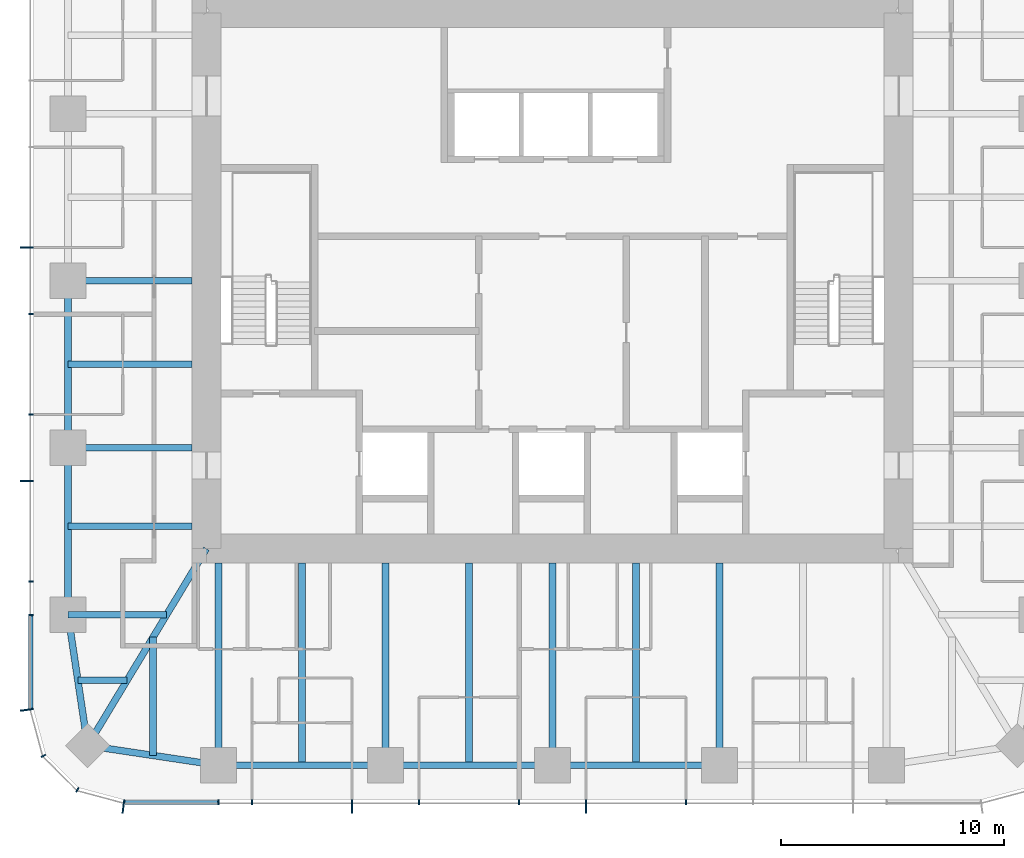
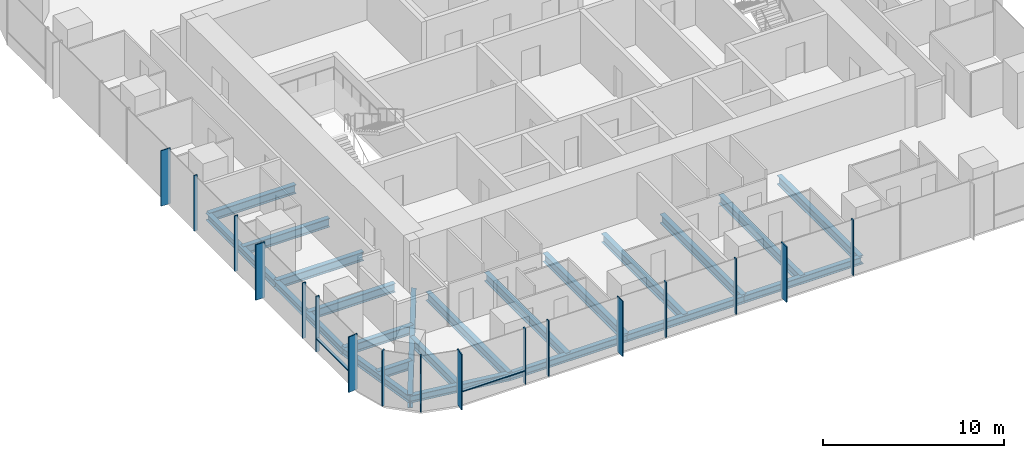
# One storey, part 2 of 12: 22 beams, 19 members, 3 elements without a shape of their own.
"""IFC4 building model written with IfcOpenShell, lengths in metres."""

from ifc_helpers import new_model, si_unit, direction, frame, origin, origin_2d, place, context, subcontext, project, spatial, rectangle, i_section, extrude, material, material_profile, profile_set, type_object, element, aggregate, save


model = new_model("IFC4")

# Units and contexts
model_context = context("Model", 3, precision=1e-05, world=origin(), true_north=direction((0.0, 1.0)))
body_context = subcontext(model_context, "Body", "Model", "MODEL_VIEW")
ifc_project = project(units=[si_unit("LENGTHUNIT", "METRE"), si_unit("AREAUNIT", "SQUARE_METRE"), si_unit("VOLUMEUNIT", "CUBIC_METRE"), si_unit("PLANEANGLEUNIT", "RADIAN"), si_unit("MASSUNIT", "GRAM", prefix="KILO")], contexts=[model_context])

# Site, building, storey
site_placement = place(None, origin())
site = spatial("IfcSite", under=ifc_project, at=site_placement, CompositionType="ELEMENT")
building_placement = place(site_placement, origin())
building = spatial("IfcBuilding", under=site, at=building_placement, Name="Khuree Lantern Residences", CompositionType="ELEMENT")
storey_placement = place(building_placement, frame((0.0, 0.0, 323.25)))
storey = spatial("IfcBuildingStorey", under=building, at=storey_placement, Name="L81", CompositionType="ELEMENT", Elevation=323.25)

# Beams
ifc_material_1 = material(Name="Steel S355", Category="steel")
ifc_material_profile_1 = material_profile(ifc_material_1, i_section(OverallWidth=0.300048828125, OverallDepth=0.590087890625, WebThickness=0.012939453125, FlangeThickness=0.02490234375, FilletRadius=0.027099609375, at=origin_2d()), Name="HE 600 A")
ifc_profile_set_1 = profile_set([ifc_material_profile_1], Name="Steel S355")
beam_type_1 = type_object("IfcBeamType", Name="B-43 SECONDARY BEAM HE 600 A", PredefinedType="BEAM", material=ifc_profile_set_1)
for number, where, z_axis, x_axis, name in (
    (1, (3.739990234375, -21.699951171875, -0.544921875), (0.0, 1.0, 0.0), (-1.0, 0.0, 0.0), "Secondary beam S3"),
    (2, (-3.739990234375, -21.699951171875, -0.544921875), (0.0, 1.0, 0.0), (-1.0, 0.0, 0.0), "Secondary beam S4"),
    (3, (-11.219970703125, -21.699951171875, -0.544921875), (0.0, 1.0, 0.0), (-1.0, 0.0, 0.0), "Secondary beam S5"),
):
    element("IfcBeam", number, at=place(storey_placement, frame(where, z_axis=z_axis, x_axis=x_axis)), inside=storey, type_object=beam_type_1, Name=name, PredefinedType="BEAM", context=body_context, shape_type="SweptSolid", body=[
        extrude(i_section(OverallWidth=0.300048828125, OverallDepth=0.590087890625, WebThickness=0.012939453125, FlangeThickness=0.02490234375, FilletRadius=0.027099609375, at=origin_2d()), origin(), (0.0, 0.0, 1.0), 9.050048828125),
    ])
beam_1_placement = place(storey_placement, frame((-17.890625, -21.2607421875, -0.544921875), z_axis=(0.0, 1.0, 0.0), x_axis=(-1.0, 0.0, 0.0)))
element("IfcBeam", 4, at=beam_1_placement, inside=storey, type_object=beam_type_1, Name="Secondary beam S6", PredefinedType="BEAM", context=body_context, shape_type="SweptSolid", body=[
    extrude(i_section(OverallWidth=0.300048828125, OverallDepth=0.590087890625, WebThickness=0.012939453125, FlangeThickness=0.02490234375, FilletRadius=0.027099609375, at=origin_2d()), origin(), (0.0, 0.0, 1.0), 5.297607421875),
])
beam_2_placement = place(storey_placement, frame((-21.2607421875, -17.890625, -0.544921875), z_axis=(1.0, 0.0, 0.0), x_axis=(0.0, 1.0, 0.0)))
element("IfcBeam", 5, at=beam_2_placement, inside=storey, type_object=beam_type_1, Name="Secondary beam W1", PredefinedType="BEAM", context=body_context, shape_type="SweptSolid", body=[
    extrude(i_section(OverallWidth=0.300048828125, OverallDepth=0.590087890625, WebThickness=0.012939453125, FlangeThickness=0.02490234375, FilletRadius=0.027099609375, at=origin_2d()), origin(), (0.0, 0.0, 1.0), 2.207275390625),
])
for number, where, z_axis, x_axis, name in (
    (6, (-21.699951171875, -11.0, -0.544921875), (1.0, 0.0, 0.0), (0.0, 1.0, 0.0), "Secondary beam W2"),
    (7, (-21.699951171875, -3.739990234375, -0.544921875), (1.0, 0.0, 0.0), (0.0, 1.0, 0.0), "Secondary beam W3"),
):
    element("IfcBeam", number, at=place(storey_placement, frame(where, z_axis=z_axis, x_axis=x_axis)), inside=storey, type_object=beam_type_1, Name=name, PredefinedType="BEAM", context=body_context, shape_type="SweptSolid", body=[
        extrude(i_section(OverallWidth=0.300048828125, OverallDepth=0.590087890625, WebThickness=0.012939453125, FlangeThickness=0.02490234375, FilletRadius=0.027099609375, at=origin_2d()), origin(), (0.0, 0.0, 1.0), 5.550048828125),
    ])
ifc_material_profile_2 = material_profile(ifc_material_1, i_section(OverallWidth=0.300048828125, OverallDepth=0.489990234375, WebThickness=0.011962890625, FlangeThickness=0.02294921875, FilletRadius=0.027099609375, at=origin_2d()), Name="HE 500 A")
ifc_profile_set_2 = profile_set([ifc_material_profile_2], Name="Steel S355")
beam_type_2 = type_object("IfcBeamType", Name="E-43 SPANDREL BEAM HE 500 A", PredefinedType="SPANDREL", material=ifc_profile_set_2)
for number, where, z_axis, x_axis, name in (
    (8, (7.47998046875, -21.699951171875, -0.4951171875), (-1.0, 0.0, 0.0), (0.0, -1.0, 0.0), "Spandrel beam S3"),
    (9, (0.0, -21.699951171875, -0.4951171875), (-1.0, 0.0, 0.0), (0.0, -1.0, 0.0), "Spandrel beam S4"),
    (10, (-7.47998046875, -21.699951171875, -0.4951171875), (-1.0, 0.0, 0.0), (0.0, -1.0, 0.0), "Spandrel beam S5"),
):
    element("IfcBeam", number, at=place(storey_placement, frame(where, z_axis=z_axis, x_axis=x_axis)), inside=storey, type_object=beam_type_2, Name=name, PredefinedType="SPANDREL", context=body_context, shape_type="SweptSolid", body=[
        extrude(i_section(OverallWidth=0.300048828125, OverallDepth=0.489990234375, WebThickness=0.011962890625, FlangeThickness=0.02294921875, FilletRadius=0.027099609375, at=origin_2d()), origin(), (0.0, 0.0, 1.0), 7.47998046875),
    ])
for number, where, z_axis, x_axis, name in (
    (11, (-14.9599609375, -21.699951171875, -0.4951171875), (-0.988949643299, 0.148251822985, 0.0), (-0.148251822985, -0.988949643299, 0.0), "Spandrel beam S6"),
    (12, (-20.8212890625, -20.8212890625, -0.4951171875), (-0.148251822985, 0.988949643299, 0.0), (-0.988949643299, -0.148251822985, 0.0), "Spandrel beam W1"),
):
    element("IfcBeam", number, at=place(storey_placement, frame(where, z_axis=z_axis, x_axis=x_axis)), inside=storey, type_object=beam_type_2, Name=name, PredefinedType="SPANDREL", context=body_context, shape_type="SweptSolid", body=[
        extrude(i_section(OverallWidth=0.300048828125, OverallDepth=0.489990234375, WebThickness=0.011962890625, FlangeThickness=0.02294921875, FilletRadius=0.027099609375, at=origin_2d()), origin(), (0.0, 0.0, 1.0), 5.9267578125),
    ])
for number, where, z_axis, x_axis, name in (
    (13, (-21.699951171875, -14.9599609375, -0.4951171875), (0.0, 1.0, 0.0), (-1.0, 0.0, 0.0), "Spandrel beam W2"),
    (14, (-21.699951171875, -7.47998046875, -0.4951171875), (0.0, 1.0, 0.0), (-1.0, 0.0, 0.0), "Spandrel beam W3"),
):
    element("IfcBeam", number, at=place(storey_placement, frame(where, z_axis=z_axis, x_axis=x_axis)), inside=storey, type_object=beam_type_2, Name=name, PredefinedType="SPANDREL", context=body_context, shape_type="SweptSolid", body=[
        extrude(i_section(OverallWidth=0.300048828125, OverallDepth=0.489990234375, WebThickness=0.011962890625, FlangeThickness=0.02294921875, FilletRadius=0.027099609375, at=origin_2d()), origin(), (0.0, 0.0, 1.0), 7.47998046875),
    ])

# Curtain wall, members
ifc_material_2 = material(Name="Bronze anodised aluminium", Category="aluminium")
curtain_wall_type_1 = type_object("IfcCurtainWallType", Name="CW-T1 TOWER FACE CURTAIN WALL", PredefinedType="USERDEFINED", material=ifc_material_2)
curtain_wall_1_placement = place(storey_placement, origin())
curtain_wall_1 = element("IfcCurtainWall", 15, at=curtain_wall_1_placement, inside=storey, type_object=curtain_wall_type_1, Name="L81 WEST FACE CURTAIN WALL", ObjectType="Stick-built curtain wall", PredefinedType="USERDEFINED")
ifc_material_profile_3 = material_profile(ifc_material_2, rectangle(XDim=0.06494140625, YDim=0.60009765625, at=origin_2d()), Name="F1 65X600")
ifc_profile_set_3 = profile_set([ifc_material_profile_3], Name="Bronze anodised aluminium")
member_type_1 = type_object("IfcMemberType", Name="F1 BRONZE FIN MULLION TOWER 65X600", PredefinedType="MULLION", material=ifc_profile_set_3)
member_1_placement = place(storey_placement, frame((-23.550048828125, 1.49609375, 0.0), z_axis=(0.0, 0.0, 1.0), x_axis=(0.0, -1.0, 0.0)))
member_1 = element("IfcMember", 16, at=member_1_placement, type_object=member_type_1, Name="L81 WEST FACE FIN MULLION 37", PredefinedType="MULLION", context=body_context, shape_type="SweptSolid", body=[
    extrude(rectangle(XDim=0.06494140625, YDim=0.60009765625, at=origin_2d()), origin(), (0.0, 0.0, 1.0), 3.75),
])
member_2_placement = place(storey_placement, frame((-23.550048828125, -8.97607421875, 0.0), z_axis=(0.0, 0.0, 1.0), x_axis=(0.0, -1.0, 0.0)))
member_2 = element("IfcMember", 17, at=member_2_placement, type_object=member_type_1, Name="L81 WEST FACE FIN MULLION 40", PredefinedType="MULLION", context=body_context, shape_type="SweptSolid", body=[
    extrude(rectangle(XDim=0.06494140625, YDim=0.60009765625, at=origin_2d()), origin(), (0.0, 0.0, 1.0), 3.75),
])

# Curtain wall, member
curtain_wall_type_2 = type_object("IfcCurtainWallType", Name="CW-T2 TOWER CORNER CURTAIN WALL", PredefinedType="USERDEFINED", material=ifc_material_2)
curtain_wall_2_placement = place(storey_placement, origin())
curtain_wall_2 = element("IfcCurtainWall", 18, at=curtain_wall_2_placement, inside=storey, type_object=curtain_wall_type_2, Name="L81 SOUTH-WEST CORNER CURTAIN WALL", ObjectType="Faceted corner curtain wall", PredefinedType="USERDEFINED")
member_3_placement = place(storey_placement, frame((-23.550048828125, -19.2197265625, 0.0), z_axis=(0.0, 0.0, 1.0), x_axis=(0.130526125236, -0.991444870192, 0.0)))
member_3 = element("IfcMember", 19, at=member_3_placement, type_object=member_type_1, Name="L81 SOUTH-WEST CORNER FIN MULLION 43", PredefinedType="MULLION", context=body_context, shape_type="SweptSolid", body=[
    extrude(rectangle(XDim=0.06494140625, YDim=0.60009765625, at=origin_2d()), origin(), (0.0, 0.0, 1.0), 3.75),
])

# Curtain wall, members
curtain_wall_3_placement = place(storey_placement, origin())
curtain_wall_3 = element("IfcCurtainWall", 20, at=curtain_wall_3_placement, inside=storey, type_object=curtain_wall_type_1, Name="L81 SOUTH FACE CURTAIN WALL", ObjectType="Stick-built curtain wall", PredefinedType="USERDEFINED")
member_4_placement = place(storey_placement, frame((-19.2197265625, -23.550048828125, 0.0), z_axis=(0.0, 0.0, 1.0), x_axis=(0.991444870192, -0.130526125236, 0.0)))
member_4 = element("IfcMember", 21, at=member_4_placement, type_object=member_type_1, Name="L81 SOUTH FACE FIN MULLION 46", PredefinedType="MULLION", context=body_context, shape_type="SweptSolid", body=[
    extrude(rectangle(XDim=0.06494140625, YDim=0.60009765625, at=origin_2d()), origin(), (0.0, 0.0, 1.0), 3.75),
])
member_5_placement = place(storey_placement, frame((-8.97607421875, -23.550048828125, 0.0), z_axis=(0.0, 0.0, 1.0), x_axis=(1.0, 0.0, 0.0)))
member_5 = element("IfcMember", 22, at=member_5_placement, type_object=member_type_1, Name="L81 SOUTH FACE FIN MULLION 49", PredefinedType="MULLION", context=body_context, shape_type="SweptSolid", body=[
    extrude(rectangle(XDim=0.06494140625, YDim=0.60009765625, at=origin_2d()), origin(), (0.0, 0.0, 1.0), 3.75),
])
member_6_placement = place(storey_placement, frame((1.49609375, -23.550048828125, 0.0), z_axis=(0.0, 0.0, 1.0), x_axis=(1.0, 0.0, 0.0)))
member_6 = element("IfcMember", 23, at=member_6_placement, type_object=member_type_1, Name="L81 SOUTH FACE FIN MULLION 52", PredefinedType="MULLION", context=body_context, shape_type="SweptSolid", body=[
    extrude(rectangle(XDim=0.06494140625, YDim=0.60009765625, at=origin_2d()), origin(), (0.0, 0.0, 1.0), 3.75),
])

# Beams
ifc_material_profile_4 = material_profile(ifc_material_1, i_section(OverallWidth=0.300048828125, OverallDepth=0.60009765625, WebThickness=0.015380859375, FlangeThickness=0.030029296875, FilletRadius=0.027099609375, at=origin_2d()), Name="HE 600 B")
ifc_profile_set_4 = profile_set([ifc_material_profile_4], Name="Steel S355")
beam_type_3 = type_object("IfcBeamType", Name="G-43 GIRDER HE 600 B", PredefinedType="BEAM", material=ifc_profile_set_4)
for number, where, z_axis, x_axis, name in (
    (24, (7.47998046875, -21.699951171875, -0.550048828125), (0.0, 1.0, 0.0), (-1.0, 0.0, 0.0), "Girder S2"),
    (25, (0.0, -21.699951171875, -0.550048828125), (0.0, 1.0, 0.0), (-1.0, 0.0, 0.0), "Girder S3"),
    (26, (-7.47998046875, -21.699951171875, -0.550048828125), (0.0, 1.0, 0.0), (-1.0, 0.0, 0.0), "Girder S4"),
    (27, (-14.9599609375, -21.699951171875, -0.550048828125), (0.0, 1.0, 0.0), (-1.0, 0.0, 0.0), "Girder S5"),
):
    element("IfcBeam", number, at=place(storey_placement, frame(where, z_axis=z_axis, x_axis=x_axis)), inside=storey, type_object=beam_type_3, Name=name, PredefinedType="BEAM", context=body_context, shape_type="SweptSolid", body=[
        extrude(i_section(OverallWidth=0.300048828125, OverallDepth=0.60009765625, WebThickness=0.015380859375, FlangeThickness=0.030029296875, FilletRadius=0.027099609375, at=origin_2d()), origin(), (0.0, 0.0, 1.0), 9.050048828125),
    ])
beam_3_placement = place(storey_placement, frame((-21.699951171875, -14.9599609375, -0.550048828125), z_axis=(1.0, 0.0, 0.0), x_axis=(0.0, 1.0, 0.0)))
element("IfcBeam", 28, at=beam_3_placement, inside=storey, type_object=beam_type_3, Name="Girder W1", PredefinedType="BEAM", context=body_context, shape_type="SweptSolid", body=[
    extrude(i_section(OverallWidth=0.300048828125, OverallDepth=0.60009765625, WebThickness=0.015380859375, FlangeThickness=0.030029296875, FilletRadius=0.027099609375, at=origin_2d()), origin(), (0.0, 0.0, 1.0), 4.414306640625),
])
for number, where, z_axis, x_axis, name in (
    (29, (-21.699951171875, -7.47998046875, -0.550048828125), (1.0, 0.0, 0.0), (0.0, 1.0, 0.0), "Girder W2"),
    (30, (-21.699951171875, 0.0, -0.550048828125), (1.0, 0.0, 0.0), (0.0, 1.0, 0.0), "Girder W3"),
):
    element("IfcBeam", number, at=place(storey_placement, frame(where, z_axis=z_axis, x_axis=x_axis)), inside=storey, type_object=beam_type_3, Name=name, PredefinedType="BEAM", context=body_context, shape_type="SweptSolid", body=[
        extrude(i_section(OverallWidth=0.300048828125, OverallDepth=0.60009765625, WebThickness=0.015380859375, FlangeThickness=0.030029296875, FilletRadius=0.027099609375, at=origin_2d()), origin(), (0.0, 0.0, 1.0), 5.550048828125),
    ])
ifc_material_profile_5 = material_profile(ifc_material_1, i_section(OverallWidth=0.300048828125, OverallDepth=0.89990234375, WebThickness=0.0185546875, FlangeThickness=0.034912109375, FilletRadius=0.030029296875, at=origin_2d()), Name="HE 900 B")
ifc_profile_set_5 = profile_set([ifc_material_profile_5], Name="Steel S355")
beam_type_4 = type_object("IfcBeamType", Name="GD-43 CORNER GIRDER HE 900 B", PredefinedType="BEAM", material=ifc_profile_set_5)
beam_4_placement = place(storey_placement, frame((-20.8212890625, -20.8212890625, -0.699951171875), z_axis=(0.516529577604, 0.856269347495, 0.0), x_axis=(-0.856269347495, 0.516529577604, 0.0)))
element("IfcBeam", 31, at=beam_4_placement, inside=storey, type_object=beam_type_4, Name="Corner girder SW", PredefinedType="BEAM", context=body_context, shape_type="SweptSolid", body=[
    extrude(i_section(OverallWidth=0.300048828125, OverallDepth=0.89990234375, WebThickness=0.0185546875, FlangeThickness=0.034912109375, FilletRadius=0.030029296875, at=origin_2d()), origin(), (0.0, 0.0, 1.0), 10.302001953125),
])

# Member
ifc_material_profile_6 = material_profile(ifc_material_2, rectangle(XDim=0.06494140625, YDim=0.219970703125, at=origin_2d()), Name="M1 65X220")
ifc_profile_set_6 = profile_set([ifc_material_profile_6], Name="Bronze anodised aluminium")
member_type_2 = type_object("IfcMemberType", Name="M1 BRONZE MULLION TOWER 65X220", PredefinedType="MULLION", material=ifc_profile_set_6)
member_7_placement = place(storey_placement, frame((-23.360107421875, -1.49609375, 0.0), z_axis=(0.0, 0.0, 1.0), x_axis=(0.0, -1.0, 0.0)))
member_7 = element("IfcMember", 32, at=member_7_placement, type_object=member_type_2, Name="L81 WEST FACE MULLION 38", PredefinedType="MULLION", context=body_context, shape_type="SweptSolid", body=[
    extrude(rectangle(XDim=0.06494140625, YDim=0.219970703125, at=origin_2d()), origin(), (0.0, 0.0, 1.0), 3.75),
])

member_8_placement = place(storey_placement, frame((-23.360107421875, -5.98388671875, 0.0), z_axis=(0.0, 0.0, 1.0), x_axis=(0.0, -1.0, 0.0)))
member_8 = element("IfcMember", 33, at=member_8_placement, type_object=member_type_2, Name="L81 WEST FACE MULLION 39", PredefinedType="MULLION", context=body_context, shape_type="SweptSolid", body=[
    extrude(rectangle(XDim=0.06494140625, YDim=0.219970703125, at=origin_2d()), origin(), (0.0, 0.0, 1.0), 3.75),
])

member_9_placement = place(storey_placement, frame((-23.360107421875, -13.464111328125, 0.0), z_axis=(0.0, 0.0, 1.0), x_axis=(0.0, -1.0, 0.0)))
member_9 = element("IfcMember", 34, at=member_9_placement, type_object=member_type_2, Name="L81 WEST FACE MULLION 41", PredefinedType="MULLION", context=body_context, shape_type="SweptSolid", body=[
    extrude(rectangle(XDim=0.06494140625, YDim=0.219970703125, at=origin_2d()), origin(), (0.0, 0.0, 1.0), 3.75),
])

member_10_placement = place(storey_placement, frame((-23.360107421875, -14.9599609375, 0.0), z_axis=(0.0, 0.0, 1.0), x_axis=(0.0, -1.0, 0.0)))
member_10 = element("IfcMember", 35, at=member_10_placement, type_object=member_type_2, Name="L81 WEST FACE MULLION 42", PredefinedType="MULLION", context=body_context, shape_type="SweptSolid", body=[
    extrude(rectangle(XDim=0.06494140625, YDim=0.219970703125, at=origin_2d()), origin(), (0.0, 0.0, 1.0), 3.75),
])

member_11_placement = place(storey_placement, frame((-22.802734375, -21.280029296875, 0.0), z_axis=(0.0, 0.0, 1.0), x_axis=(0.49999994149, -0.866025437565, 0.0)))
member_11 = element("IfcMember", 36, at=member_11_placement, type_object=member_type_2, Name="L81 SOUTH-WEST CORNER MULLION 44", PredefinedType="MULLION", context=body_context, shape_type="SweptSolid", body=[
    extrude(rectangle(XDim=0.06494140625, YDim=0.219970703125, at=origin_2d()), origin(), (0.0, 0.0, 1.0), 3.75),
])

member_12_placement = place(storey_placement, frame((-21.280029296875, -22.802734375, 0.0), z_axis=(0.0, 0.0, 1.0), x_axis=(0.866025437565, -0.49999994149, 0.0)))
member_12 = element("IfcMember", 37, at=member_12_placement, type_object=member_type_2, Name="L81 SOUTH-WEST CORNER MULLION 45", PredefinedType="MULLION", context=body_context, shape_type="SweptSolid", body=[
    extrude(rectangle(XDim=0.06494140625, YDim=0.219970703125, at=origin_2d()), origin(), (0.0, 0.0, 1.0), 3.75),
])

aggregate(curtain_wall_2, [member_3, member_11, member_12])

member_13_placement = place(storey_placement, frame((-14.9599609375, -23.360107421875, 0.0), z_axis=(0.0, 0.0, 1.0), x_axis=(1.0, 0.0, 0.0)))
member_13 = element("IfcMember", 38, at=member_13_placement, type_object=member_type_2, Name="L81 SOUTH FACE MULLION 47", PredefinedType="MULLION", context=body_context, shape_type="SweptSolid", body=[
    extrude(rectangle(XDim=0.06494140625, YDim=0.219970703125, at=origin_2d()), origin(), (0.0, 0.0, 1.0), 3.75),
])

member_14_placement = place(storey_placement, frame((-13.464111328125, -23.360107421875, 0.0), z_axis=(0.0, 0.0, 1.0), x_axis=(1.0, 0.0, 0.0)))
member_14 = element("IfcMember", 39, at=member_14_placement, type_object=member_type_2, Name="L81 SOUTH FACE MULLION 48", PredefinedType="MULLION", context=body_context, shape_type="SweptSolid", body=[
    extrude(rectangle(XDim=0.06494140625, YDim=0.219970703125, at=origin_2d()), origin(), (0.0, 0.0, 1.0), 3.75),
])

member_15_placement = place(storey_placement, frame((-5.98388671875, -23.360107421875, 0.0), z_axis=(0.0, 0.0, 1.0), x_axis=(1.0, 0.0, 0.0)))
member_15 = element("IfcMember", 40, at=member_15_placement, type_object=member_type_2, Name="L81 SOUTH FACE MULLION 50", PredefinedType="MULLION", context=body_context, shape_type="SweptSolid", body=[
    extrude(rectangle(XDim=0.06494140625, YDim=0.219970703125, at=origin_2d()), origin(), (0.0, 0.0, 1.0), 3.75),
])

member_16_placement = place(storey_placement, frame((-1.49609375, -23.360107421875, 0.0), z_axis=(0.0, 0.0, 1.0), x_axis=(1.0, 0.0, 0.0)))
member_16 = element("IfcMember", 41, at=member_16_placement, type_object=member_type_2, Name="L81 SOUTH FACE MULLION 51", PredefinedType="MULLION", context=body_context, shape_type="SweptSolid", body=[
    extrude(rectangle(XDim=0.06494140625, YDim=0.219970703125, at=origin_2d()), origin(), (0.0, 0.0, 1.0), 3.75),
])

member_17_placement = place(storey_placement, frame((5.98388671875, -23.360107421875, 0.0), z_axis=(0.0, 0.0, 1.0), x_axis=(1.0, 0.0, 0.0)))
member_17 = element("IfcMember", 42, at=member_17_placement, type_object=member_type_2, Name="L81 SOUTH FACE MULLION 53", PredefinedType="MULLION", context=body_context, shape_type="SweptSolid", body=[
    extrude(rectangle(XDim=0.06494140625, YDim=0.219970703125, at=origin_2d()), origin(), (0.0, 0.0, 1.0), 3.75),
])

ifc_material_profile_7 = material_profile(ifc_material_2, rectangle(XDim=0.179931640625, YDim=0.06494140625, at=origin_2d()), Name="T1 180X65")
ifc_profile_set_7 = profile_set([ifc_material_profile_7], Name="Bronze anodised aluminium")
member_type_3 = type_object("IfcMemberType", Name="TRANSOM T1 TOWER 180X65", PredefinedType="USERDEFINED", material=ifc_profile_set_7)
member_18_placement = place(storey_placement, frame((-23.3701171875, -14.992431640625, 0.89990234375), z_axis=(0.0, -1.0, 0.0), x_axis=(1.0, 0.0, 0.0)))
member_18 = element("IfcMember", 43, at=member_18_placement, type_object=member_type_3, Name="L81 WEST FACE TRANSOM 42.1", ObjectType="Transom", PredefinedType="USERDEFINED", context=body_context, shape_type="SweptSolid", body=[
    extrude(rectangle(XDim=0.179931640625, YDim=0.06494140625, at=origin_2d()), origin(), (0.0, 0.0, 1.0), 4.158935546875),
])

aggregate(curtain_wall_1, [member_1, member_7, member_8, member_2, member_9, member_10, member_18])

member_19_placement = place(storey_placement, frame((-19.1513671875, -23.3701171875, 0.89990234375), z_axis=(1.0, 0.0, 0.0), x_axis=(0.0, 1.0, 0.0)))
member_19 = element("IfcMember", 44, at=member_19_placement, type_object=member_type_3, Name="L81 SOUTH FACE TRANSOM 46.1", ObjectType="Transom", PredefinedType="USERDEFINED", context=body_context, shape_type="SweptSolid", body=[
    extrude(rectangle(XDim=0.179931640625, YDim=0.06494140625, at=origin_2d()), origin(), (0.0, 0.0, 1.0), 4.158935546875),
])

aggregate(curtain_wall_3, [member_4, member_13, member_14, member_5, member_15, member_16, member_6, member_17, member_19])

save(model, "model.ifc")
